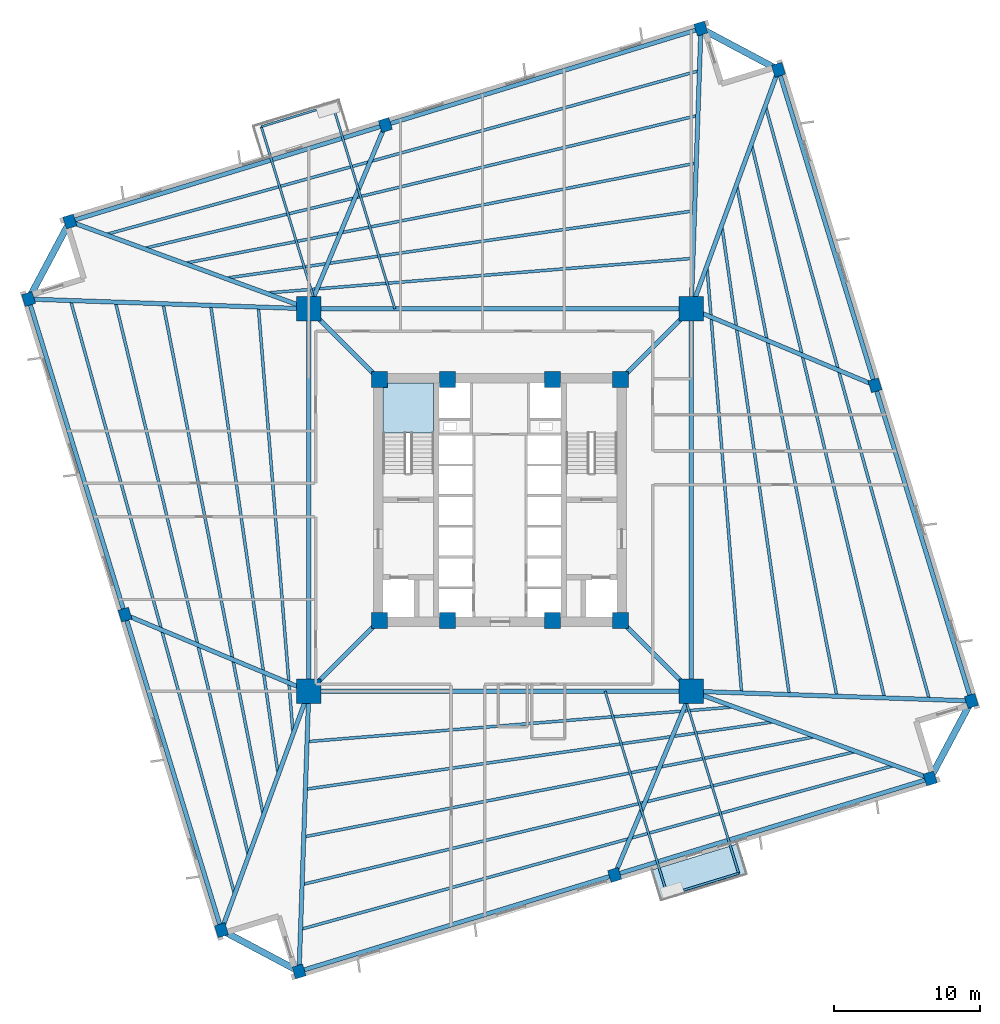
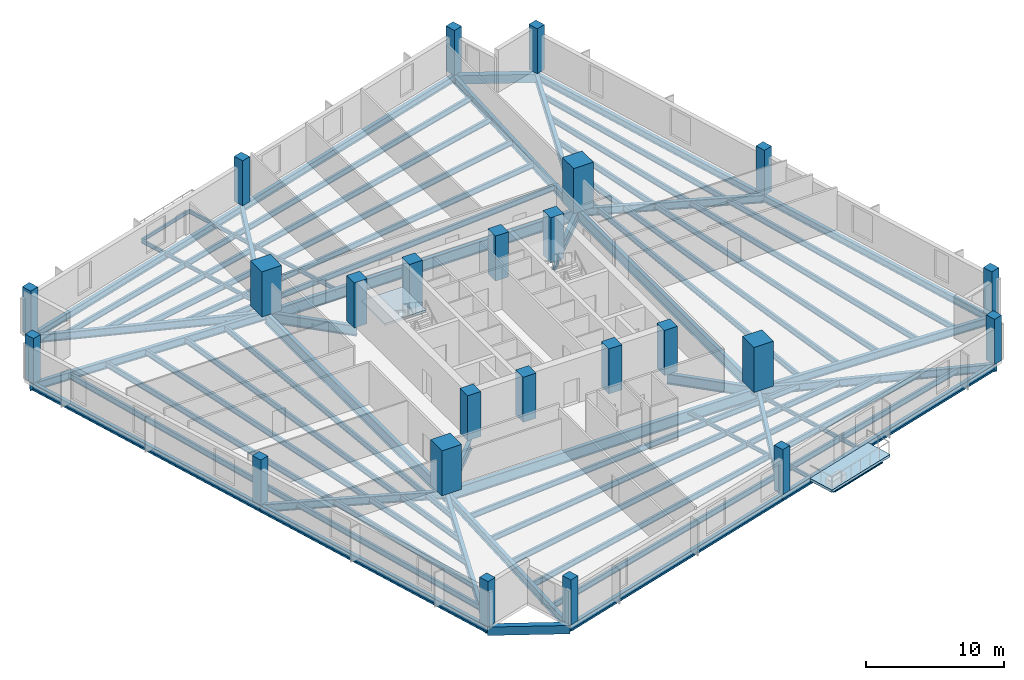
# One storey, part 1 of 8: 58 beams, 24 columns, 2 slabs, 1 element without a shape of its own.
"""IFC4 building model written with IfcOpenShell, lengths in metres."""

from ifc_helpers import new_model, si_unit, direction, frame, origin, origin_2d, place, context, subcontext, project, spatial, polyline, rectangle, i_section, outline, extrude, source, transform, mapped, material, layer, layer_set, material_profile, profile_set, type_object, element, aggregate, save


model = new_model("IFC4")

# Units and contexts
model_context = context("Model", 3, precision=1e-05, world=origin(), true_north=direction((0.0, 1.0)))
body_context = subcontext(model_context, "Body", "Model", "MODEL_VIEW")
ifc_project = project(units=[si_unit("LENGTHUNIT", "METRE"), si_unit("AREAUNIT", "SQUARE_METRE"), si_unit("VOLUMEUNIT", "CUBIC_METRE"), si_unit("PLANEANGLEUNIT", "RADIAN"), si_unit("MASSUNIT", "GRAM", prefix="KILO"), si_unit("THERMODYNAMICTEMPERATUREUNIT", "KELVIN")], contexts=[model_context])

# Site, building, storey
site_placement = place(None, origin())
site = spatial("IfcSite", under=ifc_project, at=site_placement, CompositionType="ELEMENT")
building_placement = place(site_placement, origin())
building = spatial("IfcBuilding", under=site, at=building_placement, Name="Kosmvard Interchange Tower", CompositionType="ELEMENT")
storey_placement = place(building_placement, frame((0.0, 0.0, 87.199951171875)))
storey = spatial("IfcBuildingStorey", under=building, at=storey_placement, Name="L20", CompositionType="ELEMENT", Elevation=87.199951171875)

# Columns
ifc_material_1 = material(Name="Concrete C80/95", Category="concrete")
ifc_material_profile_1 = material_profile(ifc_material_1, rectangle(XDim=1.10009765625, YDim=1.10009765625, at=origin_2d()), Name="CP 1100x1100")
ifc_profile_set_1 = profile_set([ifc_material_profile_1], Name="Concrete C80/95")
column_type_1 = type_object("IfcColumnType", Name="Core Boundary Pilaster 1100x1100 C80/95", PredefinedType="PILASTER", material=ifc_profile_set_1)
shared_shape_1 = source(origin(), body_context, "Body", "SweptSolid", [
    extrude(rectangle(XDim=1.10009765625, YDim=1.10009765625, at=origin_2d()), origin(), (0.0, 0.0, 1.0), 4.0),
])
for number, where, z_axis, x_axis, name in (
    (1, (-8.25, -8.25, 0.0), (0.0, 0.0, 1.0), (1.0, 0.0, 0.0), "L20 Core Pilaster CP1"),
    (2, (8.25, -8.25, 0.0), (0.0, 0.0, 1.0), (1.0, 0.0, 0.0), "L20 Core Pilaster CP2"),
    (3, (8.25, 8.25, 0.0), (0.0, 0.0, 1.0), (1.0, 0.0, 0.0), "L20 Core Pilaster CP3"),
    (4, (-8.25, 8.25, 0.0), (0.0, 0.0, 1.0), (1.0, 0.0, 0.0), "L20 Core Pilaster CP4"),
    (5, (-3.60009765625, -8.25, 0.0), (0.0, 0.0, 1.0), (1.0, 0.0, 0.0), "L20 Core Pilaster CP5"),
    (6, (3.60009765625, -8.25, 0.0), (0.0, 0.0, 1.0), (1.0, 0.0, 0.0), "L20 Core Pilaster CP6"),
    (7, (-3.60009765625, 8.25, 0.0), (0.0, 0.0, 1.0), (1.0, 0.0, 0.0), "L20 Core Pilaster CP7"),
    (8, (3.60009765625, 8.25, 0.0), (0.0, 0.0, 1.0), (1.0, 0.0, 0.0), "L20 Core Pilaster CP8"),
):
    element("IfcColumn", number, at=place(storey_placement, frame(where, z_axis=z_axis, x_axis=x_axis)), inside=storey, type_object=column_type_1, Name=name, PredefinedType="PILASTER", context=body_context, shape_type="MappedRepresentation", body=[
        mapped(shared_shape_1, transform((0.0, 0.0, 0.0), scale=1.0)),
    ])
ifc_material_2 = material(Name="Concrete C70/85", Category="concrete")
ifc_material_profile_2 = material_profile(ifc_material_2, rectangle(XDim=1.64990234375, YDim=1.64990234375, at=origin_2d()), Name="MC 1650x1650")
ifc_profile_set_2 = profile_set([ifc_material_profile_2], Name="Concrete C70/85")
column_type_2 = type_object("IfcColumnType", Name="Composite Mega-Column 1650x1650 C70/85", PredefinedType="COLUMN", material=ifc_profile_set_2)
shared_shape_2 = source(origin(), body_context, "Body", "SweptSolid", [
    extrude(rectangle(XDim=1.64990234375, YDim=1.64990234375, at=origin_2d()), origin(), (0.0, 0.0, 1.0), 4.0),
])
for number, where, z_axis, x_axis, name in (
    (9, (-13.0810546875, -13.0810546875, 0.0), (0.0, 0.0, 1.0), (1.0, 0.0, 0.0), "L20 Corner Mega-Column MC1"),
    (10, (13.0810546875, -13.0810546875, 0.0), (0.0, 0.0, 1.0), (1.0, 0.0, 0.0), "L20 Corner Mega-Column MC2"),
    (11, (13.0810546875, 13.0810546875, 0.0), (0.0, 0.0, 1.0), (1.0, 0.0, 0.0), "L20 Corner Mega-Column MC3"),
    (12, (-13.0810546875, 13.0810546875, 0.0), (0.0, 0.0, 1.0), (1.0, 0.0, 0.0), "L20 Corner Mega-Column MC4"),
):
    element("IfcColumn", number, at=place(storey_placement, frame(where, z_axis=z_axis, x_axis=x_axis)), inside=storey, type_object=column_type_2, Name=name, PredefinedType="COLUMN", context=body_context, shape_type="MappedRepresentation", body=[
        mapped(shared_shape_2, transform((0.0, 0.0, 0.0), scale=1.0)),
    ])
ifc_material_3 = material(Name="Concrete C60/75", Category="concrete")
ifc_material_profile_3 = material_profile(ifc_material_3, rectangle(XDim=0.75, YDim=0.85009765625, at=origin_2d()), Name="TC 850x750")
ifc_profile_set_3 = profile_set([ifc_material_profile_3], Name="Concrete C60/75")
column_type_3 = type_object("IfcColumnType", Name="Zone 2 Perimeter Pier Column 850x750 C60/75", PredefinedType="COLUMN", material=ifc_profile_set_3)
shared_shape_3 = source(origin(), body_context, "Body", "SweptSolid", [
    extrude(rectangle(XDim=0.75, YDim=0.85009765625, at=origin_2d()), origin(), (0.0, 0.0, 1.0), 4.0),
])
for number, where, z_axis, x_axis, name in (
    (13, (-13.74560546875, -32.253173828125, 0.0), (0.0, 0.0, 1.0), (0.956304755963, 0.292371704723, 0.0), "L20 Perimeter Pier Column TC-S1"),
    (14, (7.8427734375, -25.65283203125, 0.0), (0.0, 0.0, 1.0), (0.956304755963, 0.292371704723, 0.0), "L20 Perimeter Pier Column TC-S2"),
    (15, (29.431396484375, -19.052490234375, 0.0), (0.0, 0.0, 1.0), (0.956304755963, 0.292371704723, 0.0), "L20 Perimeter Pier Column TC-S3"),
    (16, (32.253173828125, -13.74560546875, 0.0), (0.0, 0.0, 1.0), (0.956304755963, 0.292371704723, 0.0), "L20 Perimeter Pier Column TC-E1"),
    (17, (25.65283203125, 7.8427734375, 0.0), (0.0, 0.0, 1.0), (0.956304755963, 0.292371704723, 0.0), "L20 Perimeter Pier Column TC-E2"),
    (18, (19.052490234375, 29.431396484375, 0.0), (0.0, 0.0, 1.0), (0.956304755963, 0.292371704723, 0.0), "L20 Perimeter Pier Column TC-E3"),
    (19, (13.74560546875, 32.253173828125, 0.0), (0.0, 0.0, 1.0), (0.956304755963, 0.292371704723, 0.0), "L20 Perimeter Pier Column TC-N1"),
    (20, (-7.8427734375, 25.65283203125, 0.0), (0.0, 0.0, 1.0), (0.956304755963, 0.292371704723, 0.0), "L20 Perimeter Pier Column TC-N2"),
    (21, (-29.431396484375, 19.052490234375, 0.0), (0.0, 0.0, 1.0), (0.956304755963, 0.292371704723, 0.0), "L20 Perimeter Pier Column TC-N3"),
    (22, (-32.253173828125, 13.74560546875, 0.0), (0.0, 0.0, 1.0), (0.956304755963, 0.292371704723, 0.0), "L20 Perimeter Pier Column TC-W1"),
    (23, (-25.65283203125, -7.8427734375, 0.0), (0.0, 0.0, 1.0), (0.956304755963, 0.292371704723, 0.0), "L20 Perimeter Pier Column TC-W2"),
    (24, (-19.052490234375, -29.431396484375, 0.0), (0.0, 0.0, 1.0), (0.956304755963, 0.292371704723, 0.0), "L20 Perimeter Pier Column TC-W3"),
):
    element("IfcColumn", number, at=place(storey_placement, frame(where, z_axis=z_axis, x_axis=x_axis)), inside=storey, type_object=column_type_3, Name=name, PredefinedType="COLUMN", context=body_context, shape_type="MappedRepresentation", body=[
        mapped(shared_shape_3, transform((0.0, 0.0, 0.0), scale=1.0)),
    ])

# Beams
ifc_material_4 = material(Name="Steel S460", Category="steel")
ifc_material_profile_4 = material_profile(ifc_material_4, i_section(OverallWidth=0.30810546875, OverallDepth=0.909912109375, WebThickness=0.02099609375, FlangeThickness=0.0400390625, FilletRadius=0.027099609375, at=origin_2d()), Name="HEM 900")
ifc_profile_set_4 = profile_set([ifc_material_profile_4], Name="Steel S460")
beam_type_1 = type_object("IfcBeamType", Name="Primary Mega-Frame Girder HEM 900 S460", PredefinedType="BEAM", material=ifc_profile_set_4)
shared_shape_4 = source(origin(), body_context, "Body", "SweptSolid", [
    extrude(i_section(OverallWidth=0.30810546875, OverallDepth=0.909912109375, WebThickness=0.02099609375, FlangeThickness=0.0400390625, FilletRadius=0.027099609375, at=origin_2d()), origin(), (0.0, 0.0, 1.0), 6.83203125),
])
for number, where, z_axis, x_axis, name in (
    (25, (-8.25, -8.25, -0.71484375), (-0.707106781187, -0.707106781187, 0.0), (0.707106781187, -0.707106781187, 0.0), "L20 Radial Mega-Frame Girder 1"),
    (26, (8.25, -8.25, -0.71484375), (0.707106781187, -0.707106781187, 0.0), (0.707106781187, 0.707106781187, 0.0), "L20 Radial Mega-Frame Girder 2"),
    (27, (8.25, 8.25, -0.71484375), (0.707106781187, 0.707106781187, 0.0), (-0.707106781187, 0.707106781187, 0.0), "L20 Radial Mega-Frame Girder 3"),
    (28, (-8.25, 8.25, -0.71484375), (-0.707106781187, 0.707106781187, 0.0), (-0.707106781187, -0.707106781187, 0.0), "L20 Radial Mega-Frame Girder 4"),
):
    element("IfcBeam", number, at=place(storey_placement, frame(where, z_axis=z_axis, x_axis=x_axis)), inside=storey, type_object=beam_type_1, Name=name, PredefinedType="BEAM", context=body_context, shape_type="MappedRepresentation", body=[
        mapped(shared_shape_4, transform((0.0, 0.0, 0.0), scale=1.0)),
    ])
ifc_material_profile_5 = material_profile(ifc_material_4, i_section(OverallWidth=0.30908203125, OverallDepth=1.008056640625, WebThickness=0.02099609375, FlangeThickness=0.0400390625, FilletRadius=0.030029296875, at=origin_2d()), Name="HEM 1000")
ifc_profile_set_5 = profile_set([ifc_material_profile_5], Name="Steel S460")
beam_type_2 = type_object("IfcBeamType", Name="Mega-Column Ring Girder HEM 1000 S460", PredefinedType="BEAM", material=ifc_profile_set_5)
shared_shape_5 = source(origin(), body_context, "Body", "SweptSolid", [
    extrude(i_section(OverallWidth=0.30908203125, OverallDepth=1.008056640625, WebThickness=0.02099609375, FlangeThickness=0.0400390625, FilletRadius=0.030029296875, at=origin_2d()), origin(), (0.0, 0.0, 1.0), 26.162109375),
])
for number, where, z_axis, x_axis, name in (
    (29, (-13.0810546875, -13.0810546875, -0.763916015625), (1.0, 0.0, 0.0), (0.0, 1.0, 0.0), "L20 Mega-Column Ring Girder 1"),
    (30, (13.0810546875, -13.0810546875, -0.763916015625), (0.0, 1.0, 0.0), (-1.0, 0.0, 0.0), "L20 Mega-Column Ring Girder 2"),
    (31, (13.0810546875, 13.0810546875, -0.763916015625), (-1.0, 0.0, 0.0), (0.0, -1.0, 0.0), "L20 Mega-Column Ring Girder 3"),
    (32, (-13.0810546875, 13.0810546875, -0.763916015625), (0.0, -1.0, 0.0), (1.0, 0.0, 0.0), "L20 Mega-Column Ring Girder 4"),
):
    element("IfcBeam", number, at=place(storey_placement, frame(where, z_axis=z_axis, x_axis=x_axis)), inside=storey, type_object=beam_type_2, Name=name, PredefinedType="BEAM", context=body_context, shape_type="MappedRepresentation", body=[
        mapped(shared_shape_5, transform((0.0, 0.0, 0.0), scale=1.0)),
    ])
ifc_material_5 = material(Name="Steel S355", Category="steel")
ifc_material_profile_6 = material_profile(ifc_material_5, i_section(OverallWidth=0.14990234375, OverallDepth=0.300048828125, WebThickness=0.007080078125, FlangeThickness=0.0107421875, FilletRadius=0.014892578125, at=origin_2d()), Name="IPE 300")
ifc_profile_set_6 = profile_set([ifc_material_profile_6], Name="Steel S355")
beam_type_3 = type_object("IfcBeamType", Name="Balcony Edge Header Joist IPE 300 S355", PredefinedType="JOIST", material=ifc_profile_set_6)
shared_shape_6 = source(origin(), body_context, "Body", "SweptSolid", [
    extrude(i_section(OverallWidth=0.14990234375, OverallDepth=0.300048828125, WebThickness=0.007080078125, FlangeThickness=0.0107421875, FilletRadius=0.014892578125, at=origin_2d()), origin(), (0.0, 0.0, 1.0), 5.099853515625),
])
for number, where, z_axis, x_axis, name in (
    (33, (-11.4541015625, 27.032470703125, -0.409912109375), (-0.956295066015, -0.292403397238, 0.0), (0.292403397238, -0.956295066015, 0.0), "BM-L20-BJH1"),
    (34, (11.4541015625, -27.032470703125, -0.409912109375), (0.956295066015, 0.292403397238, 0.0), (-0.292403397238, 0.956295066015, 0.0), "BM-L20-BJH2"),
):
    element("IfcBeam", number, at=place(storey_placement, frame(where, z_axis=z_axis, x_axis=x_axis)), inside=storey, type_object=beam_type_3, Name=name, PredefinedType="JOIST", context=body_context, shape_type="MappedRepresentation", body=[
        mapped(shared_shape_6, transform((0.0, 0.0, 0.0), scale=1.0)),
    ])
ifc_material_profile_7 = material_profile(ifc_material_5, i_section(OverallWidth=0.300048828125, OverallDepth=0.60009765625, WebThickness=0.015380859375, FlangeThickness=0.030029296875, FilletRadius=0.027099609375, at=origin_2d()), Name="HEB 600")
ifc_profile_set_7 = profile_set([ifc_material_profile_7], Name="Steel S355")
beam_type_4 = type_object("IfcBeamType", Name="Perimeter Tie Girder HEB 600 S355", PredefinedType="BEAM", material=ifc_profile_set_7)
shared_shape_7 = source(origin(), body_context, "Body", "SweptSolid", [
    extrude(i_section(OverallWidth=0.300048828125, OverallDepth=0.60009765625, WebThickness=0.015380859375, FlangeThickness=0.030029296875, FilletRadius=0.027099609375, at=origin_2d()), origin(), (0.0, 0.0, 1.0), 22.57470703125),
])
for number, where, z_axis, x_axis, name in (
    (35, (-13.74560546875, -32.253173828125, -0.56005859375), (0.956303368768, 0.292376241995, 0.0), (-0.292376241995, 0.956303368768, 0.0), "BM-L20-PR01"),
    (36, (32.253173828125, -13.74560546875, -0.56005859375), (-0.292376241995, 0.956303368768, 0.0), (-0.956303368768, -0.292376241995, 0.0), "BM-L20-PR04"),
    (37, (13.74560546875, 32.253173828125, -0.56005859375), (-0.956303368768, -0.292376241995, 0.0), (0.292376241995, -0.956303368768, 0.0), "BM-L20-PR07"),
    (38, (-32.253173828125, 13.74560546875, -0.56005859375), (0.292376241995, -0.956303368768, 0.0), (0.956303368768, 0.292376241995, 0.0), "BM-L20-PR10"),
):
    element("IfcBeam", number, at=place(storey_placement, frame(where, z_axis=z_axis, x_axis=x_axis)), inside=storey, type_object=beam_type_4, Name=name, PredefinedType="BEAM", context=body_context, shape_type="MappedRepresentation", body=[
        mapped(shared_shape_7, transform((0.0, 0.0, 0.0), scale=1.0)),
    ])
ifc_material_profile_8 = material_profile(ifc_material_5, i_section(OverallWidth=0.300048828125, OverallDepth=0.699951171875, WebThickness=0.01708984375, FlangeThickness=0.031982421875, FilletRadius=0.027099609375, at=origin_2d()), Name="HEB 700")
ifc_profile_set_8 = profile_set([ifc_material_profile_8], Name="Steel S355")
beam_type_5 = type_object("IfcBeamType", Name="Primary Floor Girder HEB 700 S355", PredefinedType="BEAM", material=ifc_profile_set_8)
shared_shape_8 = source(origin(), body_context, "Body", "SweptSolid", [
    extrude(i_section(OverallWidth=0.300048828125, OverallDepth=0.699951171875, WebThickness=0.01708984375, FlangeThickness=0.031982421875, FilletRadius=0.027099609375, at=origin_2d()), origin(), (0.0, 0.0, 1.0), 19.18359375),
])
for number, where, z_axis, x_axis, name in (
    (39, (-13.0810546875, -13.0810546875, -0.60986328125), (-0.034641549738, -0.999399801397, 0.0), (0.999399801397, -0.034641549738, 0.0), "BM-L20-RD01"),
    (40, (13.0810546875, -13.0810546875, -0.60986328125), (0.999399801397, -0.034641549738, 0.0), (0.034641549738, 0.999399801397, 0.0), "BM-L20-RD04"),
    (41, (13.0810546875, 13.0810546875, -0.60986328125), (0.034641549738, 0.999399801397, 0.0), (-0.999399801397, 0.034641549738, 0.0), "BM-L20-RD07"),
    (42, (-13.0810546875, 13.0810546875, -0.60986328125), (-0.999399801397, 0.034641549738, 0.0), (-0.034641549738, -0.999399801397, 0.0), "BM-L20-RD10"),
):
    element("IfcBeam", number, at=place(storey_placement, frame(where, z_axis=z_axis, x_axis=x_axis)), inside=storey, type_object=beam_type_5, Name=name, PredefinedType="BEAM", context=body_context, shape_type="MappedRepresentation", body=[
        mapped(shared_shape_8, transform((0.0, 0.0, 0.0), scale=1.0)),
    ])
shared_shape_9 = source(origin(), body_context, "Body", "SweptSolid", [
    extrude(i_section(OverallWidth=0.300048828125, OverallDepth=0.60009765625, WebThickness=0.015380859375, FlangeThickness=0.030029296875, FilletRadius=0.027099609375, at=origin_2d()), origin(), (0.0, 0.0, 1.0), 22.574951171875),
])
for number, where, z_axis, x_axis, name in (
    (43, (7.8427734375, -25.65283203125, -0.56005859375), (0.956304293239, 0.292373218222, 0.0), (-0.292373218222, 0.956304293239, 0.0), "BM-L20-PR02"),
    (44, (25.65283203125, 7.8427734375, -0.56005859375), (-0.292373218222, 0.956304293239, 0.0), (-0.956304293239, -0.292373218222, 0.0), "BM-L20-PR05"),
    (45, (-7.8427734375, 25.65283203125, -0.56005859375), (-0.956304293239, -0.292373218222, 0.0), (0.292373218222, -0.956304293239, 0.0), "BM-L20-PR08"),
    (46, (-25.65283203125, -7.8427734375, -0.56005859375), (0.292373218222, -0.956304293239, 0.0), (0.956304293239, 0.292373218222, 0.0), "BM-L20-PR11"),
):
    element("IfcBeam", number, at=place(storey_placement, frame(where, z_axis=z_axis, x_axis=x_axis)), inside=storey, type_object=beam_type_4, Name=name, PredefinedType="BEAM", context=body_context, shape_type="MappedRepresentation", body=[
        mapped(shared_shape_9, transform((0.0, 0.0, 0.0), scale=1.0)),
    ])
shared_shape_10 = source(origin(), body_context, "Body", "SweptSolid", [
    extrude(i_section(OverallWidth=0.300048828125, OverallDepth=0.699951171875, WebThickness=0.01708984375, FlangeThickness=0.031982421875, FilletRadius=0.027099609375, at=origin_2d()), origin(), (0.0, 0.0, 1.0), 13.619384765625),
])
for number, where, z_axis, x_axis, name in (
    (47, (13.0810546875, -13.0810546875, -0.60986328125), (-0.384617930303, -0.92307586237, 0.0), (0.92307586237, -0.384617930303, 0.0), "BM-L20-RD02"),
    (48, (13.0810546875, 13.0810546875, -0.60986328125), (0.92307586237, -0.384617930303, 0.0), (0.384617930303, 0.92307586237, 0.0), "BM-L20-RD05"),
    (49, (-13.0810546875, 13.0810546875, -0.60986328125), (0.384617930303, 0.92307586237, 0.0), (-0.92307586237, 0.384617930303, 0.0), "BM-L20-RD08"),
    (50, (-13.0810546875, -13.0810546875, -0.60986328125), (-0.92307586237, 0.384617930303, 0.0), (-0.384617930303, -0.92307586237, 0.0), "BM-L20-RD11"),
):
    element("IfcBeam", number, at=place(storey_placement, frame(where, z_axis=z_axis, x_axis=x_axis)), inside=storey, type_object=beam_type_5, Name=name, PredefinedType="BEAM", context=body_context, shape_type="MappedRepresentation", body=[
        mapped(shared_shape_10, transform((0.0, 0.0, 0.0), scale=1.0)),
    ])
ifc_material_6 = material(Name="Precast concrete C45/55", Category="concrete")
ifc_material_profile_9 = material_profile(ifc_material_6, rectangle(XDim=0.449951171875, YDim=0.75, at=origin_2d()), Name="SL 450x750")
ifc_profile_set_9 = profile_set([ifc_material_profile_9], Name="Precast concrete C45/55")
beam_type_6 = type_object("IfcBeamType", Name="Precast Spandrel Lintel 450x750 C45/55", PredefinedType="LINTEL", material=ifc_profile_set_9)
shared_shape_11 = source(origin(), body_context, "Body", "SweptSolid", [
    extrude(rectangle(XDim=0.449951171875, YDim=0.75, at=origin_2d()), origin(), (0.0, 0.0, 1.0), 6.010498046875),
])
for number, where, z_axis, x_axis, name in (
    (51, (29.431396484375, -19.052490234375, -0.635009765625), (0.469478912111, 0.882943685114, 0.0), (-0.882943685114, 0.469478912111, 0.0), "BM-L20-SL1"),
    (52, (19.052490234375, 29.431396484375, -0.635009765625), (-0.882943685114, 0.469478912111, 0.0), (-0.469478912111, -0.882943685114, 0.0), "BM-L20-SL2"),
    (53, (-29.431396484375, 19.052490234375, -0.635009765625), (-0.469478912111, -0.882943685114, 0.0), (0.882943685114, -0.469478912111, 0.0), "BM-L20-SL3"),
    (54, (-19.052490234375, -29.431396484375, -0.635009765625), (0.882943685114, -0.469478912111, 0.0), (0.469478912111, 0.882943685114, 0.0), "BM-L20-SL4"),
):
    element("IfcBeam", number, at=place(storey_placement, frame(where, z_axis=z_axis, x_axis=x_axis)), inside=storey, type_object=beam_type_6, Name=name, PredefinedType="LINTEL", context=body_context, shape_type="MappedRepresentation", body=[
        mapped(shared_shape_11, transform((0.0, 0.0, 0.0), scale=1.0)),
    ])
shared_shape_12 = source(origin(), body_context, "Body", "SweptSolid", [
    extrude(i_section(OverallWidth=0.300048828125, OverallDepth=0.699951171875, WebThickness=0.01708984375, FlangeThickness=0.031982421875, FilletRadius=0.027099609375, at=origin_2d()), origin(), (0.0, 0.0, 1.0), 17.40673828125),
])
for number, where, z_axis, x_axis, name in (
    (55, (13.0810546875, -13.0810546875, -0.60986328125), (0.939315429031, -0.343054696491, 0.0), (0.343054696491, 0.939315429031, 0.0), "BM-L20-RD03"),
    (56, (13.0810546875, 13.0810546875, -0.60986328125), (0.343054696491, 0.939315429031, 0.0), (-0.939315429031, 0.343054696491, 0.0), "BM-L20-RD06"),
    (57, (-13.0810546875, 13.0810546875, -0.60986328125), (-0.939315429031, 0.343054696491, 0.0), (-0.343054696491, -0.939315429031, 0.0), "BM-L20-RD09"),
    (58, (-13.0810546875, -13.0810546875, -0.60986328125), (-0.343054696491, -0.939315429031, 0.0), (0.939315429031, -0.343054696491, 0.0), "BM-L20-RD12"),
):
    element("IfcBeam", number, at=place(storey_placement, frame(where, z_axis=z_axis, x_axis=x_axis)), inside=storey, type_object=beam_type_5, Name=name, PredefinedType="BEAM", context=body_context, shape_type="MappedRepresentation", body=[
        mapped(shared_shape_12, transform((0.0, 0.0, 0.0), scale=1.0)),
    ])
ifc_material_profile_10 = material_profile(ifc_material_5, i_section(OverallWidth=0.199951171875, OverallDepth=0.5, WebThickness=0.01025390625, FlangeThickness=0.01611328125, FilletRadius=0.02099609375, at=origin_2d()), Name="IPE 500")
ifc_profile_set_10 = profile_set([ifc_material_profile_10], Name="Steel S355")
beam_type_7 = type_object("IfcBeamType", Name="Standard Floor Joist IPE 500 S355", PredefinedType="JOIST", material=ifc_profile_set_10)
shared_shape_13 = source(origin(), body_context, "Body", "SweptSolid", [
    extrude(i_section(OverallWidth=0.199951171875, OverallDepth=0.5, WebThickness=0.01025390625, FlangeThickness=0.01611328125, FilletRadius=0.02099609375, at=origin_2d()), origin(), (0.0, 0.0, 1.0), 29.1611328125),
])
for number, where, z_axis, x_axis, name in (
    (59, (-13.120849609375, -16.525390625, -0.510009765625), (0.99671134435, 0.081033919093, 0.0), (-0.081033919093, 0.99671134435, 0.0), "BM-L20-FJ01"),
    (60, (16.525390625, -13.120849609375, -0.510009765625), (-0.081033919093, 0.99671134435, 0.0), (-0.99671134435, -0.081033919093, 0.0), "BM-L20-FJ06"),
    (61, (13.120849609375, 16.525390625, -0.510009765625), (-0.99671134435, -0.081033919093, 0.0), (0.081033919093, -0.99671134435, 0.0), "BM-L20-FJ11"),
    (62, (-16.525390625, 13.120849609375, -0.510009765625), (0.081033919093, -0.99671134435, 0.0), (0.99671134435, 0.081033919093, 0.0), "BM-L20-FJ16"),
):
    element("IfcBeam", number, at=place(storey_placement, frame(where, z_axis=z_axis, x_axis=x_axis)), inside=storey, type_object=beam_type_7, Name=name, PredefinedType="JOIST", context=body_context, shape_type="MappedRepresentation", body=[
        mapped(shared_shape_13, transform((0.0, 0.0, 0.0), scale=1.0)),
    ])
shared_shape_14 = source(origin(), body_context, "Body", "SweptSolid", [
    extrude(i_section(OverallWidth=0.199951171875, OverallDepth=0.5, WebThickness=0.01025390625, FlangeThickness=0.01611328125, FilletRadius=0.02099609375, at=origin_2d()), origin(), (0.0, 0.0, 1.0), 32.287841796875),
])
for number, where, z_axis, x_axis, name in (
    (63, (-13.234375, -19.77978515625, -0.510009765625), (0.989810798314, 0.142388846268, 0.0), (-0.142388846268, 0.989810798314, 0.0), "BM-L20-FJ02"),
    (64, (19.77978515625, -13.234375, -0.510009765625), (-0.142388846268, 0.989810798314, 0.0), (-0.989810798314, -0.142388846268, 0.0), "BM-L20-FJ07"),
    (65, (13.234375, 19.77978515625, -0.510009765625), (-0.989810798314, -0.142388846268, 0.0), (0.142388846268, -0.989810798314, 0.0), "BM-L20-FJ12"),
    (66, (-19.77978515625, 13.234375, -0.510009765625), (0.142388846268, -0.989810798314, 0.0), (0.989810798314, 0.142388846268, 0.0), "BM-L20-FJ17"),
):
    element("IfcBeam", number, at=place(storey_placement, frame(where, z_axis=z_axis, x_axis=x_axis)), inside=storey, type_object=beam_type_7, Name=name, PredefinedType="JOIST", context=body_context, shape_type="MappedRepresentation", body=[
        mapped(shared_shape_14, transform((0.0, 0.0, 0.0), scale=1.0)),
    ])
shared_shape_15 = source(origin(), body_context, "Body", "SweptSolid", [
    extrude(i_section(OverallWidth=0.199951171875, OverallDepth=0.5, WebThickness=0.01025390625, FlangeThickness=0.01611328125, FilletRadius=0.02099609375, at=origin_2d()), origin(), (0.0, 0.0, 1.0), 35.516357421875),
])
for number, where, z_axis, x_axis, name in (
    (67, (-13.34814453125, -23.03515625, -0.510009765625), (0.981315785618, 0.192404077134, 0.0), (-0.192404077134, 0.981315785618, 0.0), "BM-L20-FJ03"),
    (68, (23.03515625, -13.34814453125, -0.510009765625), (-0.192404077134, 0.981315785618, 0.0), (-0.981315785618, -0.192404077134, 0.0), "BM-L20-FJ08"),
    (69, (13.34814453125, 23.03515625, -0.510009765625), (-0.981315785618, -0.192404077134, 0.0), (0.192404077134, -0.981315785618, 0.0), "BM-L20-FJ13"),
    (70, (-23.03515625, 13.34814453125, -0.510009765625), (0.192404077134, -0.981315785618, 0.0), (0.981315785618, 0.192404077134, 0.0), "BM-L20-FJ18"),
):
    element("IfcBeam", number, at=place(storey_placement, frame(where, z_axis=z_axis, x_axis=x_axis)), inside=storey, type_object=beam_type_7, Name=name, PredefinedType="JOIST", context=body_context, shape_type="MappedRepresentation", body=[
        mapped(shared_shape_15, transform((0.0, 0.0, 0.0), scale=1.0)),
    ])
shared_shape_16 = source(origin(), body_context, "Body", "SweptSolid", [
    extrude(i_section(OverallWidth=0.199951171875, OverallDepth=0.5, WebThickness=0.01025390625, FlangeThickness=0.01611328125, FilletRadius=0.02099609375, at=origin_2d()), origin(), (0.0, 0.0, 1.0), 38.821533203125),
])
for number, where, z_axis, x_axis, name in (
    (71, (-13.4619140625, -26.291015625, -0.510009765625), (0.972318244358, 0.233660505198, 0.0), (-0.233660505198, 0.972318244358, 0.0), "BM-L20-FJ04"),
    (72, (26.291015625, -13.4619140625, -0.510009765625), (-0.233660505198, 0.972318244358, 0.0), (-0.972318244358, -0.233660505198, 0.0), "BM-L20-FJ09"),
    (73, (13.4619140625, 26.291015625, -0.510009765625), (-0.972318244358, -0.233660505198, 0.0), (0.233660505198, -0.972318244358, 0.0), "BM-L20-FJ14"),
    (74, (-26.291015625, 13.4619140625, -0.510009765625), (0.233660505198, -0.972318244358, 0.0), (0.972318244358, 0.233660505198, 0.0), "BM-L20-FJ19"),
):
    element("IfcBeam", number, at=place(storey_placement, frame(where, z_axis=z_axis, x_axis=x_axis)), inside=storey, type_object=beam_type_7, Name=name, PredefinedType="JOIST", context=body_context, shape_type="MappedRepresentation", body=[
        mapped(shared_shape_16, transform((0.0, 0.0, 0.0), scale=1.0)),
    ])
shared_shape_17 = source(origin(), body_context, "Body", "SweptSolid", [
    extrude(i_section(OverallWidth=0.199951171875, OverallDepth=0.5, WebThickness=0.01025390625, FlangeThickness=0.01611328125, FilletRadius=0.02099609375, at=origin_2d()), origin(), (0.0, 0.0, 1.0), 41.98583984375),
])
for number, where, z_axis, x_axis, name in (
    (75, (-13.56884765625, -29.35595703125, -0.510009765625), (0.96391074105, 0.266225624778, 0.0), (-0.266225624778, 0.96391074105, 0.0), "BM-L20-FJ05"),
    (76, (29.35595703125, -13.56884765625, -0.510009765625), (-0.266225624778, 0.96391074105, 0.0), (-0.96391074105, -0.266225624778, 0.0), "BM-L20-FJ10"),
    (77, (13.56884765625, 29.35595703125, -0.510009765625), (-0.96391074105, -0.266225624778, 0.0), (0.266225624778, -0.96391074105, 0.0), "BM-L20-FJ15"),
    (78, (-29.35595703125, 13.56884765625, -0.510009765625), (0.266225624778, -0.96391074105, 0.0), (0.96391074105, 0.266225624778, 0.0), "BM-L20-FJ20"),
):
    element("IfcBeam", number, at=place(storey_placement, frame(where, z_axis=z_axis, x_axis=x_axis)), inside=storey, type_object=beam_type_7, Name=name, PredefinedType="JOIST", context=body_context, shape_type="MappedRepresentation", body=[
        mapped(shared_shape_17, transform((0.0, 0.0, 0.0), scale=1.0)),
    ])
ifc_material_profile_11 = material_profile(ifc_material_5, i_section(OverallWidth=0.159912109375, OverallDepth=0.330078125, WebThickness=0.007568359375, FlangeThickness=0.011474609375, FilletRadius=0.01806640625, at=origin_2d()), Name="IPE 330")
ifc_profile_set_11 = profile_set([ifc_material_profile_11], Name="Steel S355")
beam_type_8 = type_object("IfcBeamType", Name="Balcony Cantilever Joist IPE 330 S355", PredefinedType="JOIST", material=ifc_profile_set_11)
shared_shape_18 = source(origin(), body_context, "Body", "SweptSolid", [
    extrude(i_section(OverallWidth=0.159912109375, OverallDepth=0.330078125, WebThickness=0.007568359375, FlangeThickness=0.011474609375, FilletRadius=0.01806640625, at=origin_2d()), origin(), (0.0, 0.0, 1.0), 14.5888671875),
])
for number, where, z_axis, x_axis, name in (
    (79, (-7.188720703125, 13.0810546875, -0.425048828125), (-0.292372013991, 0.95630466141, 0.0), (-0.95630466141, -0.292372013991, 0.0), "BM-L20-BJ1"),
    (80, (7.188720703125, -13.0810546875, -0.425048828125), (0.292372013991, -0.95630466141, 0.0), (0.95630466141, 0.292372013991, 0.0), "BM-L20-BJ2"),
):
    element("IfcBeam", number, at=place(storey_placement, frame(where, z_axis=z_axis, x_axis=x_axis)), inside=storey, type_object=beam_type_8, Name=name, PredefinedType="JOIST", context=body_context, shape_type="MappedRepresentation", body=[
        mapped(shared_shape_18, transform((0.0, 0.0, 0.0), scale=1.0)),
    ])
shared_shape_19 = source(origin(), body_context, "Body", "SweptSolid", [
    extrude(i_section(OverallWidth=0.159912109375, OverallDepth=0.330078125, WebThickness=0.007568359375, FlangeThickness=0.011474609375, FilletRadius=0.01806640625, at=origin_2d()), origin(), (0.0, 0.0, 1.0), 13.029541015625),
])
for number, where, z_axis, x_axis, name in (
    (81, (-12.521728515625, 13.0810546875, -0.425048828125), (-0.292361820938, 0.956307777684, 0.0), (-0.956307777684, -0.292361820938, 0.0), "BM-L20-BJB1"),
    (82, (12.521728515625, -13.0810546875, -0.425048828125), (0.292361820938, -0.956307777684, 0.0), (0.956307777684, 0.292361820938, 0.0), "BM-L20-BJB2"),
):
    element("IfcBeam", number, at=place(storey_placement, frame(where, z_axis=z_axis, x_axis=x_axis)), inside=storey, type_object=beam_type_8, Name=name, PredefinedType="JOIST", context=body_context, shape_type="MappedRepresentation", body=[
        mapped(shared_shape_19, transform((0.0, 0.0, 0.0), scale=1.0)),
    ])

# Stair, slab
ifc_material_7 = material(Name="Concrete C50/60", Category="concrete")
stair_type = type_object("IfcStairType", Name="Dog-Leg Core Exit Stair H4000 C50/60", PredefinedType="HALF_TURN_STAIR", material=ifc_material_7)
stair_placement = place(storey_placement, origin())
stair = element("IfcStair", 83, at=stair_placement, inside=storey, type_object=stair_type, Name="L20 Protected Exit Stair ST-1", PredefinedType="HALF_TURN_STAIR")
ifc_layer_1 = layer(ifc_material_7, 0.199951171875, Name="Concrete C50/60")
ifc_layer_set_1 = layer_set([ifc_layer_1], Name="Concrete C50/60")
slab_type_1 = type_object("IfcSlabType", Name="Stair Half-Landing Slab 200 C50/60", PredefinedType="LANDING", material=ifc_layer_set_1)
slab_1_placement = place(storey_placement, frame((0.0, 0.0, 1.800048828125)))
slab_1 = element("IfcSlab", 84, at=slab_1_placement, type_object=slab_type_1, Name="ST-1 landing 1", PredefinedType="LANDING", context=body_context, shape_type="SweptSolid", body=[
    extrude(outline(polyline([(-4.5400390625, 4.60009765625), (-4.5400390625, 8.0), (-8.0, 8.0), (-8.0, 4.60009765625), (-4.5400390625, 4.60009765625)])), origin(), (0.0, 0.0, 1.0), 0.199951171875),
])
aggregate(stair, [slab_1])

# Slab
ifc_layer_2 = layer(ifc_material_7, 0.22998046875, Name="Concrete C50/60")
ifc_layer_set_2 = layer_set([ifc_layer_2], Name="Concrete C50/60")
slab_type_2 = type_object("IfcSlabType", Name="Tree-Planter Cantilever Balcony Slab 230 C50/60", PredefinedType="FLOOR", material=ifc_layer_set_2)
slab_2_placement = place(storey_placement, frame((0.0, 0.0, -0.22998046875)))
element("IfcSlab", 85, at=slab_2_placement, inside=storey, type_object=slab_type_2, Name="L20 Outdoor Terrace Balcony Slab BAL-L20-SW", PredefinedType="FLOOR", context=body_context, shape_type="SweptSolid", body=[
    extrude(outline(polyline([(11.001220703125, -27.43212890625), (16.93017578125, -25.61962890625), (16.286865234375, -23.515625), (10.35791015625, -25.328369140625), (11.001220703125, -27.43212890625)])), origin(), (0.0, 0.0, 1.0), 0.22998046875),
])

save(model, "model.ifc")
